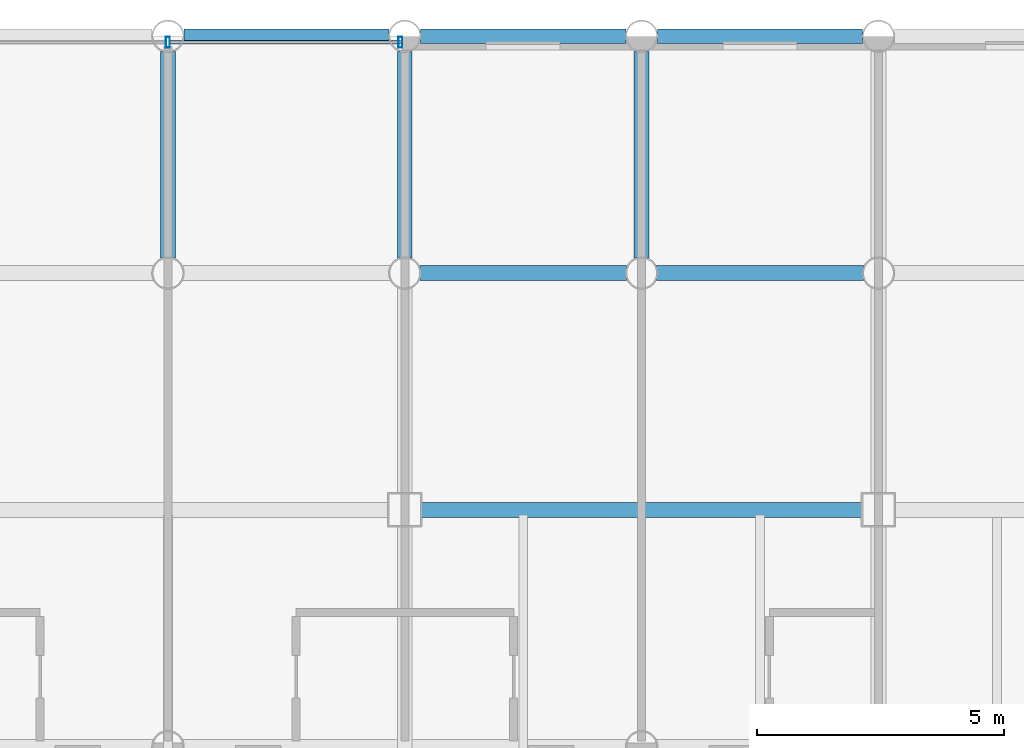
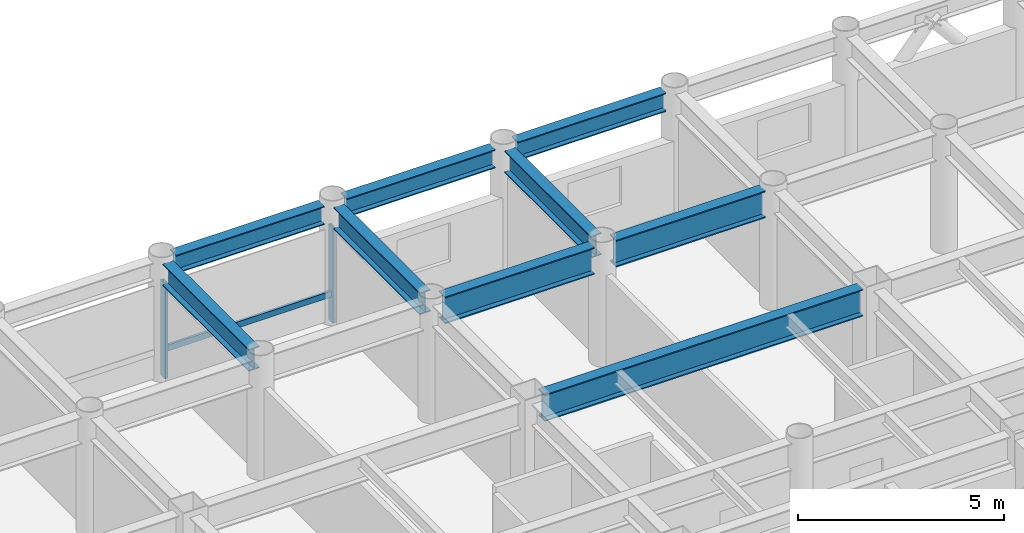
# One storey, part 13 of 20: 9 beams, 3 members, 1 element without a shape of its own.
"""IFC4 building model written with IfcOpenShell, lengths in metres."""

from ifc_helpers import new_model, si_unit, direction, frame, origin, origin_2d, place, context, subcontext, project, spatial, hollow_rectangle, i_section, extrude, material, layer, layer_set, material_profile, profile_set, type_object, element, aggregate, save


model = new_model("IFC4")

# Units and contexts
model_context = context("Model", 3, precision=1e-05, world=origin(), true_north=direction((0.0, 1.0)))
body_context = subcontext(model_context, "Body", "Model", "MODEL_VIEW")
ifc_project = project(units=[si_unit("LENGTHUNIT", "METRE"), si_unit("AREAUNIT", "SQUARE_METRE"), si_unit("VOLUMEUNIT", "CUBIC_METRE"), si_unit("PLANEANGLEUNIT", "RADIAN"), si_unit("MASSUNIT", "GRAM", prefix="KILO")], contexts=[model_context])

# Site, building, storey
site_placement = place(None, origin())
site = spatial("IfcSite", under=ifc_project, at=site_placement, CompositionType="ELEMENT")
building_placement = place(site_placement, origin())
building = spatial("IfcBuilding", under=site, at=building_placement, Name="Kallvorn Hotel Tower", CompositionType="ELEMENT")
storey_placement = place(building_placement, frame((0.0, 0.0, 128.5)))
storey = spatial("IfcBuildingStorey", under=building, at=storey_placement, Name="L31", CompositionType="ELEMENT", Elevation=128.5)

# Beams
ifc_material_1 = material(Name="Structural steel S355JR", Category="steel")
ifc_material_profile_1 = material_profile(ifc_material_1, i_section(OverallWidth=0.300048828125, OverallDepth=0.550048828125, WebThickness=0.014892578125, FlangeThickness=0.029052734375, at=origin_2d()), Name="HE 550 B")
ifc_profile_set_1 = profile_set([ifc_material_profile_1], Name="Structural steel S355JR")
beam_type_1 = type_object("IfcBeamType", Name="BM_HE550B", PredefinedType="SPANDREL", material=ifc_profile_set_1)
for number, where, z_axis, x_axis, name in (
    (1, (0.320068359375, 24.0, 3.2451171875), (1.0, 0.0, 0.0), (0.0, 1.0, 0.0), "L32 Perimeter Spandrel 169"),
    (2, (5.1201171875, 24.0, 3.2451171875), (1.0, 0.0, 0.0), (0.0, 1.0, 0.0), "L32 Perimeter Spandrel 170"),
):
    element("IfcBeam", number, at=place(storey_placement, frame(where, z_axis=z_axis, x_axis=x_axis)), inside=storey, type_object=beam_type_1, Name=name, PredefinedType="SPANDREL", context=body_context, shape_type="SweptSolid", body=[
        extrude(i_section(OverallWidth=0.300048828125, OverallDepth=0.550048828125, WebThickness=0.014892578125, FlangeThickness=0.029052734375, at=origin_2d()), origin(), (0.0, 0.0, 1.0), 4.159912109375),
    ])
beam_1_placement = place(storey_placement, frame((9.919921875, 24.0, 3.2451171875), z_axis=(1.0, 0.0, 0.0), x_axis=(0.0, 1.0, 0.0)))
element("IfcBeam", 3, at=beam_1_placement, inside=storey, type_object=beam_type_1, Name="L32 Perimeter Spandrel 171", PredefinedType="SPANDREL", context=body_context, shape_type="SweptSolid", body=[
    extrude(i_section(OverallWidth=0.300048828125, OverallDepth=0.550048828125, WebThickness=0.014892578125, FlangeThickness=0.029052734375, at=origin_2d()), origin(), (0.0, 0.0, 1.0), 4.16015625),
])
ifc_material_2 = material(Name="Structural steel S355JR", Category="steel")
ifc_material_profile_2 = material_profile(ifc_material_2, i_section(OverallWidth=0.300048828125, OverallDepth=0.64990234375, WebThickness=0.01611328125, FlangeThickness=0.031005859375, at=origin_2d()), Name="HE 650 B")
ifc_profile_set_2 = profile_set([ifc_material_profile_2], Name="Structural steel S355JR")
beam_type_2 = type_object("IfcBeamType", Name="BM_HE650B", PredefinedType="BEAM", material=ifc_profile_set_2)
for number, where, z_axis, x_axis, name in (
    (4, (0.0, 19.5048828125, 3.195068359375), (0.0, 1.0, 0.0), (-1.0, 0.0, 0.0), "L32 Primary Y-Girder 113"),
    (5, (4.800048828125, 19.5048828125, 3.195068359375), (0.0, 1.0, 0.0), (-1.0, 0.0, 0.0), "L32 Primary Y-Girder 118"),
    (6, (9.60009765625, 19.5048828125, 3.195068359375), (0.0, 1.0, 0.0), (-1.0, 0.0, 0.0), "L32 Primary Y-Girder 121"),
):
    element("IfcBeam", number, at=place(storey_placement, frame(where, z_axis=z_axis, x_axis=x_axis)), inside=storey, type_object=beam_type_2, Name=name, PredefinedType="BEAM", context=body_context, shape_type="SweptSolid", body=[
        extrude(i_section(OverallWidth=0.300048828125, OverallDepth=0.64990234375, WebThickness=0.01611328125, FlangeThickness=0.031005859375, at=origin_2d()), origin(), (0.0, 0.0, 1.0), 4.190185546875),
    ])
ifc_material_3 = material(Name="Structural steel S355JR", Category="steel")
ifc_material_profile_3 = material_profile(ifc_material_3, i_section(OverallWidth=0.300048828125, OverallDepth=0.800048828125, WebThickness=0.017578125, FlangeThickness=0.032958984375, at=origin_2d()), Name="HE 800 B")
ifc_profile_set_3 = profile_set([ifc_material_profile_3], Name="Structural steel S355JR")
beam_type_3 = type_object("IfcBeamType", Name="BM_HE800B", PredefinedType="BEAM", material=ifc_profile_set_3)
beam_2_placement = place(storey_placement, frame((5.125, 14.39990234375, 3.1201171875), z_axis=(1.0, 0.0, 0.0), x_axis=(0.0, 1.0, 0.0)))
element("IfcBeam", 7, at=beam_2_placement, inside=storey, type_object=beam_type_3, Name="L32 Primary X-Girder 56", PredefinedType="BEAM", context=body_context, shape_type="SweptSolid", body=[
    extrude(i_section(OverallWidth=0.300048828125, OverallDepth=0.800048828125, WebThickness=0.017578125, FlangeThickness=0.032958984375, at=origin_2d()), origin(), (0.0, 0.0, 1.0), 8.949951171875),
])
for number, where, z_axis, x_axis, name in (
    (8, (5.10498046875, 19.199951171875, 3.1201171875), (1.0, 0.0, 0.0), (0.0, 1.0, 0.0), "L32 Primary X-Girder 68"),
    (9, (9.905029296875, 19.199951171875, 3.1201171875), (1.0, 0.0, 0.0), (0.0, 1.0, 0.0), "L32 Primary X-Girder 69"),
):
    element("IfcBeam", number, at=place(storey_placement, frame(where, z_axis=z_axis, x_axis=x_axis)), inside=storey, type_object=beam_type_3, Name=name, PredefinedType="BEAM", context=body_context, shape_type="SweptSolid", body=[
        extrude(i_section(OverallWidth=0.300048828125, OverallDepth=0.800048828125, WebThickness=0.017578125, FlangeThickness=0.032958984375, at=origin_2d()), origin(), (0.0, 0.0, 1.0), 4.18994140625),
    ])

# Curtain wall, members
ifc_material_4 = material(Name="Thermally broken black-anodised aluminium AA 6063-T6", Category="aluminium")
ifc_layer = layer(ifc_material_4, 0.2099609375)
ifc_layer_set = layer_set([ifc_layer], Name="CW_SYS_4_HOTEL_MID")
curtain_wall_type = type_object("IfcCurtainWallType", Name="CW_SYS_4_HOTEL_MID", PredefinedType="USERDEFINED", material=ifc_layer_set)
curtain_wall_placement = place(storey_placement, origin())
curtain_wall = element("IfcCurtainWall", 10, at=curtain_wall_placement, inside=storey, type_object=curtain_wall_type, Name="L31 Dark-Glass Curtain Wall CW-L31-NC", ObjectType="UNITISED CURTAIN WALL", PredefinedType="USERDEFINED")
ifc_material_5 = material(Name="Thermally broken black-anodised aluminium AA 6063-T6", Category="aluminium")
ifc_material_profile_4 = material_profile(ifc_material_5, hollow_rectangle(XDim=0.080078125, YDim=0.219970703125, WallThickness=0.0048828125, at=origin_2d()), Name="MUL 220x80")
ifc_profile_set_4 = profile_set([ifc_material_profile_4], Name="Thermally broken black-anodised aluminium AA 6063-T6")
member_type_1 = type_object("IfcMemberType", Name="CW_MULLION_220x80", PredefinedType="MULLION", material=ifc_profile_set_4)
member_1_placement = place(storey_placement, frame((0.0, 23.8798828125, 0.02001953125), z_axis=(0.0, 0.0, 1.0), x_axis=(1.0, 0.0, 0.0)))
member_1 = element("IfcMember", 11, at=member_1_placement, type_object=member_type_1, Name="CW-L31-NC Mullion 01", PredefinedType="MULLION", context=body_context, shape_type="SweptSolid", body=[
    extrude(hollow_rectangle(XDim=0.080078125, YDim=0.219970703125, WallThickness=0.0048828125, at=origin_2d()), origin(), (0.0, 0.0, 1.0), 2.830078125),
])
member_2_placement = place(storey_placement, frame((4.7099609375, 23.8798828125, 0.02001953125), z_axis=(0.0, 0.0, 1.0), x_axis=(1.0, 0.0, 0.0)))
member_2 = element("IfcMember", 12, at=member_2_placement, type_object=member_type_1, Name="CW-L31-NC Mullion 02", PredefinedType="MULLION", context=body_context, shape_type="SweptSolid", body=[
    extrude(hollow_rectangle(XDim=0.080078125, YDim=0.219970703125, WallThickness=0.0048828125, at=origin_2d()), origin(), (0.0, 0.0, 1.0), 2.830078125),
])
ifc_material_6 = material(Name="Thermally broken black-anodised aluminium AA 6063-T6", Category="aluminium")
ifc_material_profile_5 = material_profile(ifc_material_6, hollow_rectangle(XDim=0.070068359375, YDim=0.179931640625, WallThickness=0.00390625, at=origin_2d()), Name="TRN 180x70")
ifc_profile_set_5 = profile_set([ifc_material_profile_5], Name="Thermally broken black-anodised aluminium AA 6063-T6")
member_type_2 = type_object("IfcMemberType", Name="CW_TRANSOM_180x70", PredefinedType="USERDEFINED", material=ifc_profile_set_5)
member_3_placement = place(storey_placement, frame((0.0400390625, 23.8798828125, 0.85009765625), z_axis=(1.0, 0.0, 0.0), x_axis=(0.0, 1.0, 0.0)))
member_3 = element("IfcMember", 13, at=member_3_placement, type_object=member_type_2, Name="CW-L31-NC Transom 01M", ObjectType="TRANSOM", PredefinedType="USERDEFINED", context=body_context, shape_type="SweptSolid", body=[
    extrude(hollow_rectangle(XDim=0.070068359375, YDim=0.179931640625, WallThickness=0.00390625, at=origin_2d()), origin(), (0.0, 0.0, 1.0), 4.669921875),
])
aggregate(curtain_wall, [member_1, member_2, member_3])

save(model, "model.ifc")
